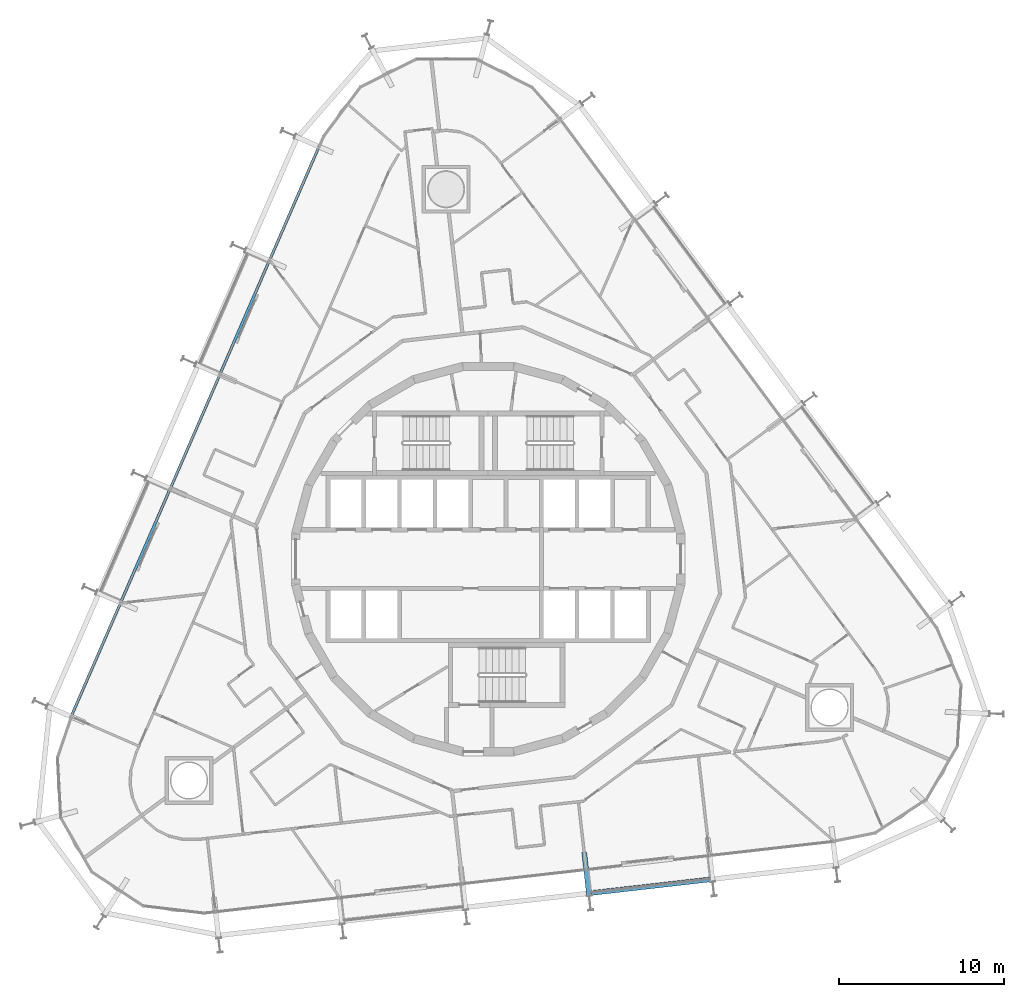
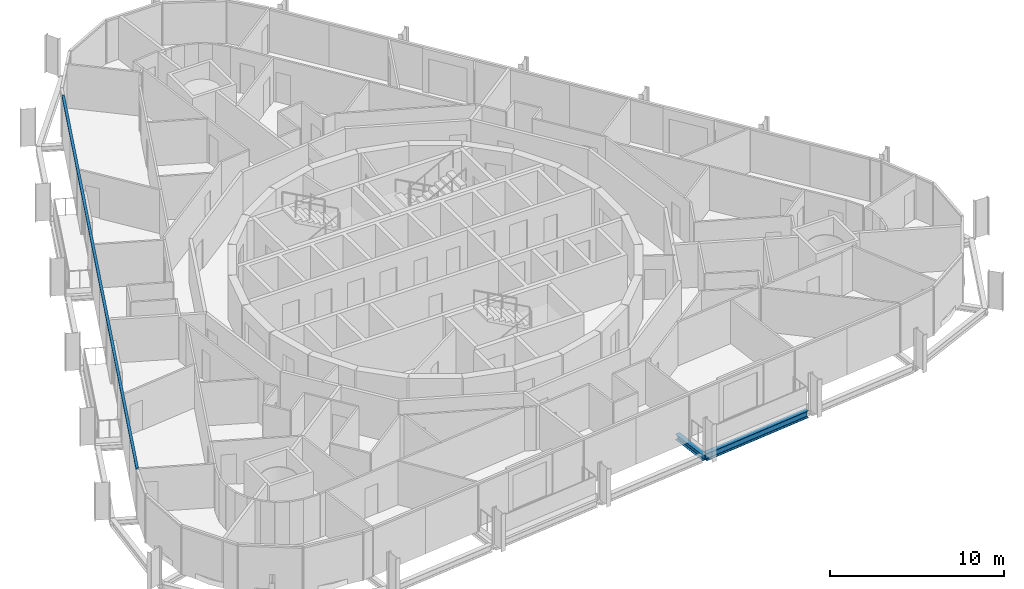
# One storey, part 6 of 23: 2 beams, 1 member, 1 element without a shape of its own.
"""IFC4 building model written with IfcOpenShell, lengths in metres."""

import ifcopenshell
import ifcopenshell.guid

model = None  # the IFC model being written
_history = None  # IfcOwnerHistory: only IFC2X3 demands one
_inside = {}  # id of a spatial element -> (the spatial element, [elements in it])
_under = {}  # id of a project, library or spatial element -> (it, [spatial elements below it])
_declared = {}  # id of a project -> (the project, [libraries it declares])
_typed = {}  # id of a type object -> (the type object, [elements of that type])
_made_of = {}  # id of a material, layer set ... -> (it, [elements and type objects made of it])


def new_model(schema):
    """Start an empty IFC model of exactly this schema.

    Asked for "IFC4X3", IfcOpenShell would pick the latest addendum, in which some entities
    have other attributes; the version numbers below select the first issue.
    IFC2X3 requires an IfcOwnerHistory on every rooted entity: one is made here for all.
    """
    global model, _history
    if schema == "IFC4X3":
        model = ifcopenshell.file(schema_version=(4, 3, 0, 0))
    else:
        model = ifcopenshell.file(schema=schema)
    _inside.clear()
    _under.clear()
    _declared.clear()
    _typed.clear()
    _made_of.clear()
    _history = None
    if model.schema == "IFC2X3":
        org = make("IfcOrganization", Name="unknown")
        user = make(
            "IfcPersonAndOrganization",
            ThePerson=make("IfcPerson", FamilyName="unknown"),
            TheOrganization=org,
        )
        app = make(
            "IfcApplication",
            ApplicationDeveloper=org,
            Version="unknown",
            ApplicationFullName="unknown",
            ApplicationIdentifier="unknown",
        )
        _history = make(
            "IfcOwnerHistory",
            OwningUser=user,
            OwningApplication=app,
            ChangeAction="ADDED",
            CreationDate=0,
        )
    return model


def make(cls, **values):
    """One entity of the class cls with the attributes given. An attribute that is None is left unset."""
    return model.create_entity(
        cls, **{name: value for name, value in values.items() if value is not None}
    )


def rooted(cls, **values):
    """An entity with a GlobalId (a new one), such as an element, a storey or a relation."""
    return make(cls, GlobalId=ifcopenshell.guid.new(), OwnerHistory=_history, **values)


def si_unit(unit_type, name, prefix=None):
    """IfcSIUnit, for example si_unit("LENGTHUNIT", "METRE", prefix="MILLI")."""
    return make("IfcSIUnit", UnitType=unit_type, Prefix=prefix, Name=name)


def assignment(units):
    """IfcUnitAssignment: the units of a project."""
    return None if units is None else make("IfcUnitAssignment", Units=units)


def point(xyz):
    """IfcCartesianPoint."""
    return None if xyz is None else make("IfcCartesianPoint", Coordinates=xyz)


def direction(xyz):
    """IfcDirection."""
    return None if xyz is None else make("IfcDirection", DirectionRatios=xyz)


def frame(location, z_axis=None, x_axis=None):
    """IfcAxis2Placement3D, a coordinate frame: its origin and axes. An axis left out is left unset."""
    return make(
        "IfcAxis2Placement3D",
        Location=point(location),
        Axis=direction(z_axis),
        RefDirection=direction(x_axis),
    )


def frame_2d(location, x_axis=None):
    """IfcAxis2Placement2D, a coordinate frame in the plane: its origin and x axis."""
    return make(
        "IfcAxis2Placement2D", Location=point(location), RefDirection=direction(x_axis)
    )


def origin():
    """The frame at (0, 0, 0) with its axes left unset."""
    return frame((0.0, 0.0, 0.0))


def origin_2d():
    """The frame at (0, 0) in the plane with its x axis left unset."""
    return frame_2d((0.0, 0.0))


def place(relative_to, where):
    """IfcLocalPlacement: puts the frame where relative to a parent placement (None: the world)."""
    return make(
        "IfcLocalPlacement", PlacementRelTo=relative_to, RelativePlacement=where
    )


def context(
    kind, dimensions, precision=None, world=None, true_north=None, identifier=None
):
    """IfcGeometricRepresentationContext, for example the 3D "Model" context."""
    return make(
        "IfcGeometricRepresentationContext",
        ContextIdentifier=identifier,
        ContextType=kind,
        CoordinateSpaceDimension=dimensions,
        Precision=precision,
        WorldCoordinateSystem=world,
        TrueNorth=true_north,
    )


def subcontext(parent, identifier, kind, view, scale=None):
    """IfcGeometricRepresentationSubContext, for example "Body" below "Model"."""
    return make(
        "IfcGeometricRepresentationSubContext",
        ContextIdentifier=identifier,
        ContextType=kind,
        ParentContext=parent,
        TargetScale=scale,
        TargetView=view,
    )


def project(units=None, contexts=None):
    """IfcProject with its units and contexts."""
    return rooted(
        "IfcProject",
        Name="project",
        RepresentationContexts=contexts,
        UnitsInContext=assignment(units),
    )


def spatial(cls, under=None, at=None, **own):
    """A site, building, storey or space (cls), placed at a placement, below another one or the project."""
    s = rooted(cls, ObjectPlacement=at, **own)
    if under is not None:
        _under.setdefault(under.id(), (under, []))[1].append(s)
    return s


def profile(cls, at=None, kind="AREA", **sizes):
    """A parametric profile (cls). Its sizes go by their IFC names, for example OverallWidth=200.0."""
    return make(cls, ProfileType=kind, Position=at, **sizes)


def rectangle(**sizes):
    """IfcRectangleProfileDef."""
    return profile("IfcRectangleProfileDef", **sizes)


def i_section(**sizes):
    """IfcIShapeProfileDef."""
    return profile("IfcIShapeProfileDef", **sizes)


def extrude(swept, where, along, depth):
    """IfcExtrudedAreaSolid: the profile swept, set in the frame where, extruded along a direction by depth."""
    return make(
        "IfcExtrudedAreaSolid",
        SweptArea=swept,
        Position=where,
        ExtrudedDirection=direction(along),
        Depth=depth,
    )


def shape(context_of_items, identifier, shape_type, items):
    """IfcShapeRepresentation: the items that make up one representation, for example the "Body"."""
    return make(
        "IfcShapeRepresentation",
        ContextOfItems=context_of_items,
        RepresentationIdentifier=identifier,
        RepresentationType=shape_type,
        Items=items,
    )


def material(Name=None, Category=None):
    """IfcMaterial."""
    return make("IfcMaterial", Name=Name, Category=Category)


def layer(
    of_material, thickness, ventilated=None, Name=None, Category=None, Priority=None
):
    """IfcMaterialLayer: one layer of a wall or slab, of a material (None: an air gap)."""
    return make(
        "IfcMaterialLayer",
        Material=of_material,
        LayerThickness=thickness,
        IsVentilated=ventilated,
        Name=Name,
        Category=Category,
        Priority=Priority,
    )


def layer_set(layers, Name=None):
    """IfcMaterialLayerSet."""
    return make("IfcMaterialLayerSet", MaterialLayers=layers, LayerSetName=Name)


def material_profile(
    of_material, cross_section, Name=None, Category=None, Priority=None
):
    """IfcMaterialProfile: a cross section and its material."""
    return make(
        "IfcMaterialProfile",
        Name=Name,
        Material=of_material,
        Profile=cross_section,
        Priority=Priority,
        Category=Category,
    )


def profile_set(profiles, Name=None, composite=None):
    """IfcMaterialProfileSet."""
    return make(
        "IfcMaterialProfileSet",
        Name=Name,
        MaterialProfiles=profiles,
        CompositeProfile=composite,
    )


def made_of(thing, what):
    """Note that an element or type object is made of a material, layer set ...; save() writes the relation."""
    if what is not None:
        _made_of.setdefault(what.id(), (what, []))[1].append(thing)
    return thing


def type_object(cls, material=None, **own):
    """A type object (cls), such as IfcWallType, which elements share."""
    return made_of(rooted(cls, **own), material)


def element(
    cls,
    number,
    at=None,
    inside=None,
    cuts=None,
    type_object=None,
    material=None,
    context=None,
    identifier="Body",
    shape_type=None,
    held_by="IfcProductDefinitionShape",
    body=None,
    shapes=None,
    **own,
):
    """One element of the class cls, such as IfcWall. Its Tag is "e" and its number.

    at: its placement. inside: the storey or other place that contains it. cuts: it is an
    opening in that element (IfcRelVoidsElement). A single representation is given by context,
    identifier, shape_type and body (its items); several are given by shapes. held_by: the class
    of the entity that holds the representations. save() writes the other relations.
    """
    e = rooted(cls, Tag="e%d" % number, ObjectPlacement=at, **own)
    if body is not None:
        shapes = [shape(context, identifier, shape_type, body)]
    if shapes is not None:
        e.Representation = make(held_by, Representations=shapes)
    if inside is not None:
        _inside.setdefault(inside.id(), (inside, []))[1].append(e)
    if cuts is not None:
        rooted(
            "IfcRelVoidsElement", RelatingBuildingElement=cuts, RelatedOpeningElement=e
        )
    if type_object is not None:
        _typed.setdefault(type_object.id(), (type_object, []))[1].append(e)
    return made_of(e, material)


def aggregate(whole, parts):
    """IfcRelAggregates: a whole, such as a stair, and the parts it consists of."""
    return rooted("IfcRelAggregates", RelatingObject=whole, RelatedObjects=parts)


def save(model, path):
    """Write the relations noted so far, then the file.

    IfcRelAggregates (storeys below a building ...), IfcRelContainedInSpatialStructure (elements
    in a storey), IfcRelDefinesByType, IfcRelAssociatesMaterial and IfcRelDeclares: one each for
    every whole, place, type object, material and project.
    """
    for whole, parts in _under.values():
        aggregate(whole, parts)
    for where, things in _inside.values():
        rooted(
            "IfcRelContainedInSpatialStructure",
            RelatedElements=things,
            RelatingStructure=where,
        )
    for kind, things in _typed.values():
        rooted("IfcRelDefinesByType", RelatedObjects=things, RelatingType=kind)
    for what, things in _made_of.values():
        rooted("IfcRelAssociatesMaterial", RelatedObjects=things, RelatingMaterial=what)
    for by, libraries in _declared.values():
        rooted("IfcRelDeclares", RelatingContext=by, RelatedDefinitions=libraries)
    model.write(path)


model = new_model("IFC4")

# Units and contexts
model_context = context("Model", 3, precision=1e-05, world=origin(), true_north=direction((0.0, 1.0)))
body_context = subcontext(model_context, "Body", "Model", "MODEL_VIEW")
ifc_project = project(units=[si_unit("LENGTHUNIT", "METRE"), si_unit("AREAUNIT", "SQUARE_METRE"), si_unit("VOLUMEUNIT", "CUBIC_METRE"), si_unit("PLANEANGLEUNIT", "RADIAN"), si_unit("MASSUNIT", "GRAM", prefix="KILO")], contexts=[model_context])

# Site, building, storey
site_placement = place(None, origin())
site = spatial("IfcSite", under=ifc_project, at=site_placement, CompositionType="ELEMENT")
building_placement = place(site_placement, origin())
building = spatial("IfcBuilding", under=site, at=building_placement, Name="Spindle Arch Residences", CompositionType="ELEMENT")
storey_placement = place(building_placement, frame((0.0, 0.0, 104.699951171875)))
storey = spatial("IfcBuildingStorey", under=building, at=storey_placement, Name="L25", CompositionType="ELEMENT", Elevation=104.699951171875)

# Curtain wall, member
ifc_material_1 = material(Name="Aluminium bronze unitised frame with tinted glass", Category="aluminium")
ifc_layer = layer(ifc_material_1, 0.159912109375)
ifc_layer_set = layer_set([ifc_layer], Name="CW-C typical residential unitised wall")
curtain_wall_type = type_object("IfcCurtainWallType", Name="CW-C typical residential unitised wall", PredefinedType="NOTDEFINED", material=ifc_layer_set)
curtain_wall_placement = place(storey_placement, origin())
curtain_wall = element("IfcCurtainWall", 1, at=curtain_wall_placement, inside=storey, type_object=curtain_wall_type, Name="CW-C L25 run 4", PredefinedType="NOTDEFINED")
ifc_material_2 = material(Name="Aluminium bronze anodised transom", Category="aluminium")
ifc_material_profile_1 = material_profile(ifc_material_2, rectangle(XDim=0.159912109375, YDim=0.1201171875, at=origin_2d()), Name="TR 120x160")
ifc_profile_set_1 = profile_set([ifc_material_profile_1], Name="Aluminium bronze anodised transom")
member_type = type_object("IfcMemberType", Name="Bronze transom 120x160", PredefinedType="USERDEFINED", material=ifc_profile_set_1)
member_placement = place(storey_placement, frame((-10.250244140625, 24.92138671875, 2.989990234375), z_axis=(-0.398750371211, -0.917059508134, 0.0), x_axis=(0.917059508134, -0.398750371211, 0.0)))
member = element("IfcMember", 2, at=member_placement, type_object=member_type, Name="CW-C transom 00", ObjectType="TRANSOM", PredefinedType="USERDEFINED", context=body_context, shape_type="SweptSolid", body=[
    extrude(rectangle(XDim=0.159912109375, YDim=0.1201171875, at=origin_2d()), origin(), (0.0, 0.0, 1.0), 37.5341796875),
])
aggregate(curtain_wall, [member])

# Beams
ifc_material_3 = material(Name="Steel S460ML, intumescent coating R 120", Category="steel")
ifc_material_profile_2 = material_profile(ifc_material_3, i_section(OverallWidth=0.300048828125, OverallDepth=0.5, WebThickness=0.014404296875, FlangeThickness=0.028076171875, FilletRadius=0.027099609375, at=origin_2d()), Name="HEB 500")
ifc_profile_set_2 = profile_set([ifc_material_profile_2], Name="Steel S460ML, intumescent coating R 120")
beam_type_1 = type_object("IfcBeamType", Name="Exoskeleton edge beam HEB 500", PredefinedType="BEAM", material=ifc_profile_set_2)
beam_1_placement = place(storey_placement, frame((6.2158203125, -20.19677734375, -0.6298828125), z_axis=(0.993570992395, 0.11321079044, 0.0), x_axis=(-0.11321079044, 0.993570992395, 0.0)))
element("IfcBeam", 3, at=beam_1_placement, inside=storey, type_object=beam_type_1, Name="Exoskeleton edge beam 1", PredefinedType="BEAM", context=body_context, shape_type="SweptSolid", body=[
    extrude(i_section(OverallWidth=0.300048828125, OverallDepth=0.5, WebThickness=0.014404296875, FlangeThickness=0.028076171875, FilletRadius=0.027099609375, at=origin_2d()), origin(), (0.0, 0.0, 1.0), 7.2587890625),
])
ifc_material_4 = material(Name="Steel S460ML, intumescent coating R 120", Category="steel")
ifc_material_profile_3 = material_profile(ifc_material_4, i_section(OverallWidth=0.300048828125, OverallDepth=0.389892578125, WebThickness=0.010986328125, FlangeThickness=0.01904296875, FilletRadius=0.027099609375, at=origin_2d()), Name="HEA 400")
ifc_profile_set_3 = profile_set([ifc_material_profile_3], Name="Steel S460ML, intumescent coating R 120")
beam_type_2 = type_object("IfcBeamType", Name="Floor outrigger HEA 400", PredefinedType="BEAM", material=ifc_profile_set_3)
beam_2_placement = place(storey_placement, frame((6.10205078125, -20.34765625, -0.574951171875), z_axis=(-0.113221808681, 0.993569736878, 0.0), x_axis=(-0.993569736878, -0.113221808681, 0.0)))
element("IfcBeam", 4, at=beam_2_placement, inside=storey, type_object=beam_type_2, Name="Floor outrigger 1", PredefinedType="BEAM", context=body_context, shape_type="SweptSolid", body=[
    extrude(i_section(OverallWidth=0.300048828125, OverallDepth=0.389892578125, WebThickness=0.010986328125, FlangeThickness=0.01904296875, FilletRadius=0.027099609375, at=origin_2d()), origin(), (0.0, 0.0, 1.0), 2.650146484375),
])

save(model, "model.ifc")
